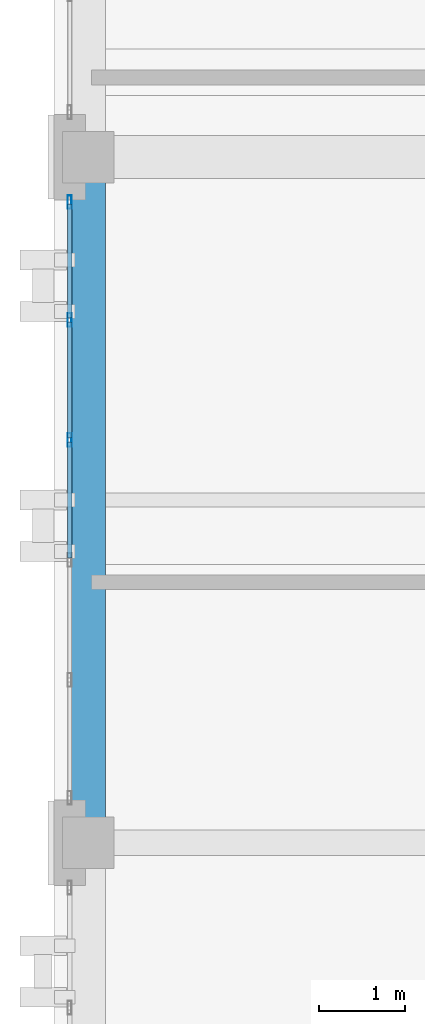
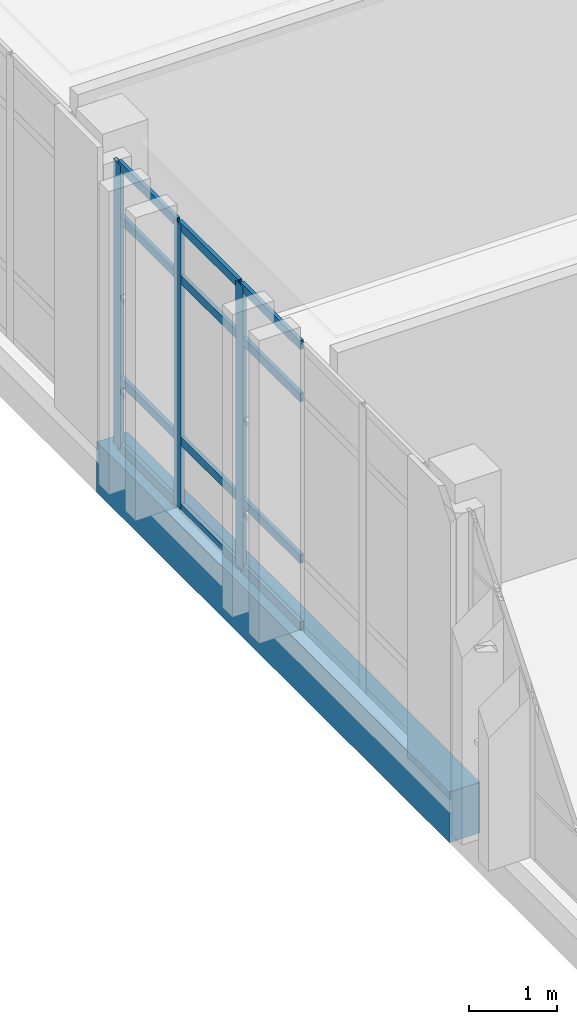
# One storey, part 5 of 77: 15 members, 1 beam, 1 element without a shape of its own.
"""IFC4 building model written with IfcOpenShell, lengths in metres."""

from ifc_helpers import new_model, si_unit, direction, frame, origin, origin_2d, place, context, subcontext, project, spatial, rectangle, hollow_rectangle, extrude, material, layer, layer_set, material_profile, profile_set, type_object, element, aggregate, save


model = new_model("IFC4")

# Units and contexts
model_context = context("Model", 3, precision=1e-05, world=origin(), true_north=direction((0.0, 1.0)))
body_context = subcontext(model_context, "Body", "Model", "MODEL_VIEW")
ifc_project = project(units=[si_unit("LENGTHUNIT", "METRE"), si_unit("AREAUNIT", "SQUARE_METRE"), si_unit("VOLUMEUNIT", "CUBIC_METRE"), si_unit("PLANEANGLEUNIT", "RADIAN"), si_unit("MASSUNIT", "GRAM", prefix="KILO")], contexts=[model_context])

# Site, building, storey
site_placement = place(None, origin())
site = spatial("IfcSite", under=ifc_project, at=site_placement, CompositionType="ELEMENT")
building_placement = place(site_placement, origin())
building = spatial("IfcBuilding", under=site, at=building_placement, Name="Qalavern Law Courts", CompositionType="ELEMENT")
storey_placement = place(building_placement, frame((0.0, 0.0, 27.0)))
storey = spatial("IfcBuildingStorey", under=building, at=storey_placement, Name="L06", CompositionType="ELEMENT", Elevation=27.0)

# Curtain wall, members
ifc_material_1 = material(Name="Anodised aluminium and insulated glazing", Category="aluminium")
ifc_layer = layer(ifc_material_1, 0.159912109375)
ifc_layer_set = layer_set([ifc_layer], Name="Anodised aluminium and insulated glazing")
curtain_wall_type = type_object("IfcCurtainWallType", Name="ENV-CW-CHAMB", PredefinedType="USERDEFINED", material=ifc_layer_set)
curtain_wall_placement = place(storey_placement, origin())
curtain_wall = element("IfcCurtainWall", 1, at=curtain_wall_placement, inside=storey, type_object=curtain_wall_type, Name="V3 unitised curtain wall L06 west 4", ObjectType="UNITISED CURTAIN WALL", PredefinedType="USERDEFINED")
ifc_material_2 = material(Name="Anodised aluminium", Category="aluminium")
ifc_material_profile_1 = material_profile(ifc_material_2, hollow_rectangle(XDim=0.048095703125, YDim=0.159912109375, WallThickness=0.00390625, at=origin_2d()), Name="ALU MULLION 48x160")
ifc_profile_set_1 = profile_set([ifc_material_profile_1], Name="Anodised aluminium")
member_type_1 = type_object("IfcMemberType", Name="ENV-CWM-48x160", PredefinedType="MULLION", material=ifc_profile_set_1)
member_1_placement = place(storey_placement, frame((2.18505859375, 56.8759765625, 0.0), z_axis=(0.0, 0.0, 1.0), x_axis=(1.0, 0.0, 0.0)))
member_1 = element("IfcMember", 2, at=member_1_placement, type_object=member_type_1, Name="CW-04 mullion 1", PredefinedType="MULLION", context=body_context, shape_type="SweptSolid", body=[
    extrude(hollow_rectangle(XDim=0.048095703125, YDim=0.159912109375, WallThickness=0.00390625, at=origin_2d()), origin(), (0.0, 0.0, 1.0), 3.93505859375),
])
member_2_placement = place(storey_placement, frame((2.18505859375, 55.5, 0.0), z_axis=(0.0, 0.0, 1.0), x_axis=(1.0, 0.0, 0.0)))
member_2 = element("IfcMember", 3, at=member_2_placement, type_object=member_type_1, Name="CW-04 mullion 2", PredefinedType="MULLION", context=body_context, shape_type="SweptSolid", body=[
    extrude(hollow_rectangle(XDim=0.048095703125, YDim=0.159912109375, WallThickness=0.00390625, at=origin_2d()), origin(), (0.0, 0.0, 1.0), 3.93505859375),
])
member_3_placement = place(storey_placement, frame((2.18505859375, 54.10009765625, 0.0), z_axis=(0.0, 0.0, 1.0), x_axis=(1.0, 0.0, 0.0)))
member_3 = element("IfcMember", 4, at=member_3_placement, type_object=member_type_1, Name="CW-04 mullion 3", PredefinedType="MULLION", context=body_context, shape_type="SweptSolid", body=[
    extrude(hollow_rectangle(XDim=0.048095703125, YDim=0.159912109375, WallThickness=0.00390625, at=origin_2d()), origin(), (0.0, 0.0, 1.0), 3.93505859375),
])
ifc_material_profile_2 = material_profile(ifc_material_2, hollow_rectangle(XDim=0.048095703125, YDim=0.1201171875, WallThickness=0.00390625, at=origin_2d()), Name="ALU TRANSOM 48x120")
ifc_profile_set_2 = profile_set([ifc_material_profile_2], Name="Anodised aluminium")
member_type_2 = type_object("IfcMemberType", Name="ENV-CWT-48x120", PredefinedType="USERDEFINED", material=ifc_profile_set_2)
member_4_placement = place(storey_placement, frame((2.18505859375, 56.85205078125, 0.02392578125), z_axis=(0.0, -1.0, 0.0), x_axis=(1.0, 0.0, 0.0)))
member_4 = element("IfcMember", 5, at=member_4_placement, type_object=member_type_2, Name="CW-04 transom 1.1", ObjectType="TRANSOM", PredefinedType="USERDEFINED", context=body_context, shape_type="SweptSolid", body=[
    extrude(hollow_rectangle(XDim=0.048095703125, YDim=0.1201171875, WallThickness=0.00390625, at=origin_2d()), origin(), (0.0, 0.0, 1.0), 1.328125),
])
member_5_placement = place(storey_placement, frame((2.18505859375, 56.85205078125, 0.949951171875), z_axis=(0.0, -1.0, 0.0), x_axis=(1.0, 0.0, 0.0)))
member_5 = element("IfcMember", 6, at=member_5_placement, type_object=member_type_2, Name="CW-04 transom 1.2", ObjectType="TRANSOM", PredefinedType="USERDEFINED", context=body_context, shape_type="SweptSolid", body=[
    extrude(hollow_rectangle(XDim=0.048095703125, YDim=0.1201171875, WallThickness=0.00390625, at=origin_2d()), origin(), (0.0, 0.0, 1.0), 1.328125),
])
member_6_placement = place(storey_placement, frame((2.18505859375, 56.85205078125, 3.18505859375), z_axis=(0.0, -1.0, 0.0), x_axis=(1.0, 0.0, 0.0)))
member_6 = element("IfcMember", 7, at=member_6_placement, type_object=member_type_2, Name="CW-04 transom 1.3", ObjectType="TRANSOM", PredefinedType="USERDEFINED", context=body_context, shape_type="SweptSolid", body=[
    extrude(hollow_rectangle(XDim=0.048095703125, YDim=0.1201171875, WallThickness=0.00390625, at=origin_2d()), origin(), (0.0, 0.0, 1.0), 1.328125),
])
member_7_placement = place(storey_placement, frame((2.18505859375, 56.85205078125, 3.910888671875), z_axis=(0.0, -1.0, 0.0), x_axis=(1.0, 0.0, 0.0)))
member_7 = element("IfcMember", 8, at=member_7_placement, type_object=member_type_2, Name="CW-04 transom 1.4", ObjectType="TRANSOM", PredefinedType="USERDEFINED", context=body_context, shape_type="SweptSolid", body=[
    extrude(hollow_rectangle(XDim=0.048095703125, YDim=0.1201171875, WallThickness=0.00390625, at=origin_2d()), origin(), (0.0, 0.0, 1.0), 1.328125),
])
member_8_placement = place(storey_placement, frame((2.18505859375, 55.47607421875, 0.02392578125), z_axis=(0.0, -1.0, 0.0), x_axis=(1.0, 0.0, 0.0)))
member_8 = element("IfcMember", 9, at=member_8_placement, type_object=member_type_2, Name="CW-04 transom 2.1", ObjectType="TRANSOM", PredefinedType="USERDEFINED", context=body_context, shape_type="SweptSolid", body=[
    extrude(hollow_rectangle(XDim=0.048095703125, YDim=0.1201171875, WallThickness=0.00390625, at=origin_2d()), origin(), (0.0, 0.0, 1.0), 1.35205078125),
])
member_9_placement = place(storey_placement, frame((2.18505859375, 55.47607421875, 0.949951171875), z_axis=(0.0, -1.0, 0.0), x_axis=(1.0, 0.0, 0.0)))
member_9 = element("IfcMember", 10, at=member_9_placement, type_object=member_type_2, Name="CW-04 transom 2.2", ObjectType="TRANSOM", PredefinedType="USERDEFINED", context=body_context, shape_type="SweptSolid", body=[
    extrude(hollow_rectangle(XDim=0.048095703125, YDim=0.1201171875, WallThickness=0.00390625, at=origin_2d()), origin(), (0.0, 0.0, 1.0), 1.35205078125),
])
member_10_placement = place(storey_placement, frame((2.18505859375, 55.47607421875, 3.18505859375), z_axis=(0.0, -1.0, 0.0), x_axis=(1.0, 0.0, 0.0)))
member_10 = element("IfcMember", 11, at=member_10_placement, type_object=member_type_2, Name="CW-04 transom 2.3", ObjectType="TRANSOM", PredefinedType="USERDEFINED", context=body_context, shape_type="SweptSolid", body=[
    extrude(hollow_rectangle(XDim=0.048095703125, YDim=0.1201171875, WallThickness=0.00390625, at=origin_2d()), origin(), (0.0, 0.0, 1.0), 1.35205078125),
])
member_11_placement = place(storey_placement, frame((2.18505859375, 55.47607421875, 3.910888671875), z_axis=(0.0, -1.0, 0.0), x_axis=(1.0, 0.0, 0.0)))
member_11 = element("IfcMember", 12, at=member_11_placement, type_object=member_type_2, Name="CW-04 transom 2.4", ObjectType="TRANSOM", PredefinedType="USERDEFINED", context=body_context, shape_type="SweptSolid", body=[
    extrude(hollow_rectangle(XDim=0.048095703125, YDim=0.1201171875, WallThickness=0.00390625, at=origin_2d()), origin(), (0.0, 0.0, 1.0), 1.35205078125),
])
member_12_placement = place(storey_placement, frame((2.18505859375, 54.075927734375, 0.02392578125), z_axis=(0.0, -1.0, 0.0), x_axis=(1.0, 0.0, 0.0)))
member_12 = element("IfcMember", 13, at=member_12_placement, type_object=member_type_2, Name="CW-04 transom 3.1", ObjectType="TRANSOM", PredefinedType="USERDEFINED", context=body_context, shape_type="SweptSolid", body=[
    extrude(hollow_rectangle(XDim=0.048095703125, YDim=0.1201171875, WallThickness=0.00390625, at=origin_2d()), origin(), (0.0, 0.0, 1.0), 1.351806640625),
])
member_13_placement = place(storey_placement, frame((2.18505859375, 54.075927734375, 0.949951171875), z_axis=(0.0, -1.0, 0.0), x_axis=(1.0, 0.0, 0.0)))
member_13 = element("IfcMember", 14, at=member_13_placement, type_object=member_type_2, Name="CW-04 transom 3.2", ObjectType="TRANSOM", PredefinedType="USERDEFINED", context=body_context, shape_type="SweptSolid", body=[
    extrude(hollow_rectangle(XDim=0.048095703125, YDim=0.1201171875, WallThickness=0.00390625, at=origin_2d()), origin(), (0.0, 0.0, 1.0), 1.351806640625),
])
member_14_placement = place(storey_placement, frame((2.18505859375, 54.075927734375, 3.18505859375), z_axis=(0.0, -1.0, 0.0), x_axis=(1.0, 0.0, 0.0)))
member_14 = element("IfcMember", 15, at=member_14_placement, type_object=member_type_2, Name="CW-04 transom 3.3", ObjectType="TRANSOM", PredefinedType="USERDEFINED", context=body_context, shape_type="SweptSolid", body=[
    extrude(hollow_rectangle(XDim=0.048095703125, YDim=0.1201171875, WallThickness=0.00390625, at=origin_2d()), origin(), (0.0, 0.0, 1.0), 1.351806640625),
])
member_15_placement = place(storey_placement, frame((2.18505859375, 54.075927734375, 3.910888671875), z_axis=(0.0, -1.0, 0.0), x_axis=(1.0, 0.0, 0.0)))
member_15 = element("IfcMember", 16, at=member_15_placement, type_object=member_type_2, Name="CW-04 transom 3.4", ObjectType="TRANSOM", PredefinedType="USERDEFINED", context=body_context, shape_type="SweptSolid", body=[
    extrude(hollow_rectangle(XDim=0.048095703125, YDim=0.1201171875, WallThickness=0.00390625, at=origin_2d()), origin(), (0.0, 0.0, 1.0), 1.351806640625),
])
aggregate(curtain_wall, [member_1, member_2, member_3, member_4, member_5, member_6, member_7, member_8, member_9, member_10, member_11, member_12, member_13, member_14, member_15])

# Beam
ifc_material_3 = material(Name="Concrete C40/50", Category="concrete")
ifc_material_profile_3 = material_profile(ifc_material_3, rectangle(XDim=0.39990234375, YDim=0.699951171875, at=origin_2d()), Name="RC 400x700")
ifc_profile_set_3 = profile_set([ifc_material_profile_3], Name="Concrete C40/50")
beam_type = type_object("IfcBeamType", Name="STR-SP-RC400x700", PredefinedType="SPANDREL", material=ifc_profile_set_3)
beam_placement = place(storey_placement, frame((2.39990234375, 49.39990234375, -0.6201171875), z_axis=(0.0, 1.0, 0.0), x_axis=(-1.0, 0.0, 0.0)))
element("IfcBeam", 17, at=beam_placement, inside=storey, type_object=beam_type, Name="V3 Y-beam 1-2 L06", PredefinedType="SPANDREL", context=body_context, shape_type="SweptSolid", body=[
    extrude(rectangle(XDim=0.39990234375, YDim=0.699951171875, at=origin_2d()), origin(), (0.0, 0.0, 1.0), 8.0),
])

save(model, "model.ifc")
